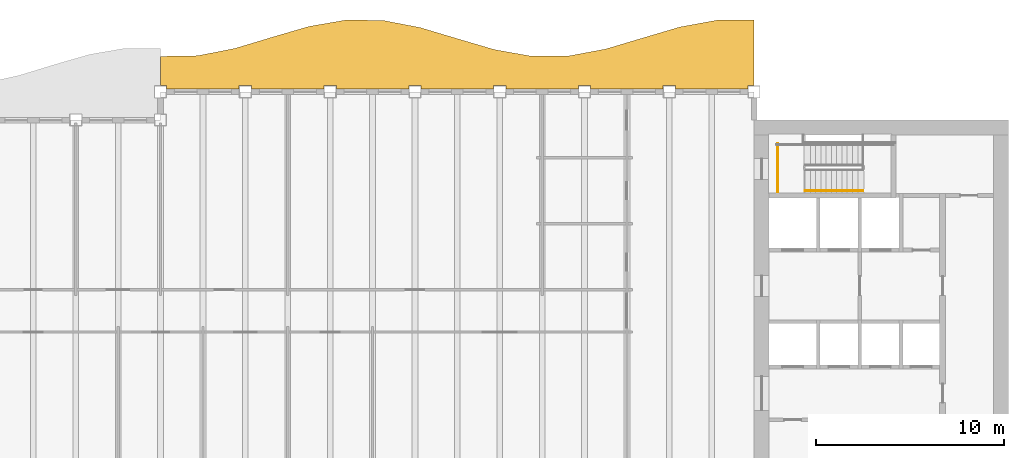
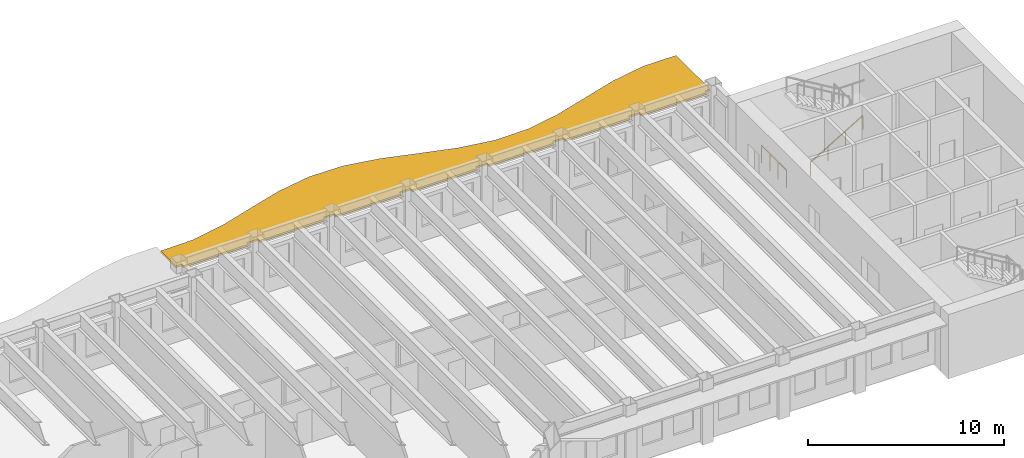
# One storey, part 11 of 12: 2 railings, 1 shading device.
"""IFC4 building model written with IfcOpenShell, lengths in metres."""

from ifc_helpers import new_model, si_unit, direction, frame, origin, origin_2d, place, context, subcontext, project, spatial, polyline, rectangle, outline, extrude, material, layer, layer_set, type_object, element, save


model = new_model("IFC4")

# Units and contexts
model_context = context("Model", 3, precision=1e-05, world=origin(), true_north=direction((0.0, 1.0)))
body_context = subcontext(model_context, "Body", "Model", "MODEL_VIEW")
ifc_project = project(units=[si_unit("LENGTHUNIT", "METRE"), si_unit("AREAUNIT", "SQUARE_METRE"), si_unit("VOLUMEUNIT", "CUBIC_METRE"), si_unit("PLANEANGLEUNIT", "RADIAN"), si_unit("MASSUNIT", "GRAM", prefix="KILO")], contexts=[model_context])

# Site, building, storey
site_placement = place(None, origin())
site = spatial("IfcSite", under=ifc_project, at=site_placement, CompositionType="ELEMENT")
building_placement = place(site_placement, origin())
building = spatial("IfcBuilding", under=site, at=building_placement, Name="Sennacour Bend Tower", CompositionType="ELEMENT")
storey_placement = place(building_placement, frame((0.0, 0.0, 265.0)))
storey = spatial("IfcBuildingStorey", under=building, at=storey_placement, Name="L61", CompositionType="ELEMENT", Elevation=265.0)

# Railings
ifc_material_1 = material(Name="Stainless steel", Category="steel")
railing_type_1 = type_object("IfcRailingType", Name="RL-GUARD-1100", PredefinedType="GUARDRAIL", material=ifc_material_1)
railing_1_placement = place(storey_placement, frame((55.25, 18.699951171875, 0.0)))
element("IfcRailing", 1, at=railing_1_placement, inside=storey, type_object=railing_type_1, Name="L61 SA2 stair guard 7", PredefinedType="GUARDRAIL", context=body_context, shape_type="SweptSolid", body=[
    extrude(rectangle(XDim=0.048095703125, YDim=0.048095703125, at=origin_2d()), frame((0.0, 0.0, 1.076171875), z_axis=(0.0, 1.0, 0.0), x_axis=(-1.0, 0.0, 0.0)), (0.0, 0.0, 1.0), 2.550048828125),
    extrude(rectangle(XDim=0.0419921875, YDim=0.0419921875, at=origin_2d()), origin(), (0.0, 0.0, 1.0), 1.052001953125),
    extrude(rectangle(XDim=0.0419921875, YDim=0.0419921875, at=origin_2d()), frame((0.0, 0.85009765625, 0.0)), (0.0, 0.0, 1.0), 1.052001953125),
    extrude(rectangle(XDim=0.0419921875, YDim=0.0419921875, at=origin_2d()), frame((0.0, 1.699951171875, 0.0)), (0.0, 0.0, 1.0), 1.052001953125),
    extrude(rectangle(XDim=0.0419921875, YDim=0.0419921875, at=origin_2d()), frame((0.0, 2.550048828125, 0.0)), (0.0, 0.0, 1.0), 1.052001953125),
])
railing_type_2 = type_object("IfcRailingType", Name="RL-HANDRAIL-900", PredefinedType="HANDRAIL", material=ifc_material_1)
railing_2_placement = place(storey_placement, frame((56.699951171875, 18.75, 0.166748046875)))
element("IfcRailing", 2, at=railing_2_placement, inside=storey, type_object=railing_type_2, Name="L61 SA2 stair handrail 1", PredefinedType="HANDRAIL", context=body_context, shape_type="SweptSolid", body=[
    extrude(rectangle(XDim=0.048095703125, YDim=0.048095703125, at=origin_2d()), frame((0.0, 0.0, 0.8759765625), z_axis=(0.859308565015, 0.0, 0.511457515432), x_axis=(0.0, 1.0, 0.0)), (0.0, 0.0, 1.0), 3.58447265625),
    extrude(rectangle(XDim=0.0419921875, YDim=0.0419921875, at=origin_2d()), origin(), (0.0, 0.0, 1.0), 0.851806640625),
    extrude(rectangle(XDim=0.0419921875, YDim=0.0419921875, at=origin_2d()), frame((1.026611328125, 0.0, 0.611083984375)), (0.0, 0.0, 1.0), 0.851806640625),
    extrude(rectangle(XDim=0.0419921875, YDim=0.0419921875, at=origin_2d()), frame((2.053466796875, 0.0, 1.22216796875)), (0.0, 0.0, 1.0), 0.851806640625),
    extrude(rectangle(XDim=0.0419921875, YDim=0.0419921875, at=origin_2d()), frame((3.080078125, 0.0, 1.833251953125)), (0.0, 0.0, 1.0), 0.851806640625),
])

# Shading device
ifc_material_2 = material(Name="Bronze anodised aluminium", Category="aluminium")
ifc_layer = layer(ifc_material_2, 0.1201171875, Name="Bronze anodised aluminium", Category="aluminium")
ifc_layer_set = layer_set([ifc_layer], Name="Bronze anodised aluminium")
shading_device_type = type_object("IfcShadingDeviceType", Name="SUNSHADE BAND WAVE", PredefinedType="USERDEFINED", material=ifc_layer_set)
shading_device_placement = place(storey_placement, frame((0.0, 0.0, 3.0419921875)))
element("IfcShadingDevice", 3, at=shading_device_placement, inside=storey, type_object=shading_device_type, Name="Sunshade band L61 concave faces", ObjectType="SUNSHADE", PredefinedType="USERDEFINED", context=body_context, shape_type="SweptSolid", body=[
    extrude(outline(polyline([(53.675048828125, 24.14990234375), (49.824951171875, 24.14990234375), (49.824951171875, 24.324951171875), (49.175048828125, 24.324951171875), (49.175048828125, 24.14990234375), (45.324951171875, 24.14990234375), (45.324951171875, 24.324951171875), (44.675048828125, 24.324951171875), (44.675048828125, 24.14990234375), (40.824951171875, 24.14990234375), (40.824951171875, 24.324951171875), (40.175048828125, 24.324951171875), (40.175048828125, 24.14990234375), (36.324951171875, 24.14990234375), (36.324951171875, 24.324951171875), (35.675048828125, 24.324951171875), (35.675048828125, 24.14990234375), (31.824951171875, 24.14990234375), (31.824951171875, 24.324951171875), (31.175048828125, 24.324951171875), (31.175048828125, 24.14990234375), (27.324951171875, 24.14990234375), (27.324951171875, 24.324951171875), (26.675048828125, 24.324951171875), (26.675048828125, 24.14990234375), (22.824951171875, 24.14990234375), (22.824951171875, 24.324951171875), (22.5, 24.324951171875), (22.5, 25.8828125), (24.46875, 25.916748046875), (26.4375, 26.303466796875), (28.40625, 26.896484375), (30.375, 27.471923828125), (32.34375, 27.8125), (34.3125, 27.789306640625), (36.28125, 27.41162109375), (38.25, 26.8212890625), (40.21875, 26.2421875), (42.1875, 25.892578125), (44.15625, 25.904541015625), (46.125, 26.273681640625), (48.09375, 26.860595703125), (50.0625, 27.443603515625), (52.03125, 27.80224609375), (54.0, 27.801025390625), (54.0, 24.324951171875), (53.675048828125, 24.324951171875), (53.675048828125, 24.14990234375)])), origin(), (0.0, 0.0, 1.0), 0.1201171875),
])

save(model, "model.ifc")
